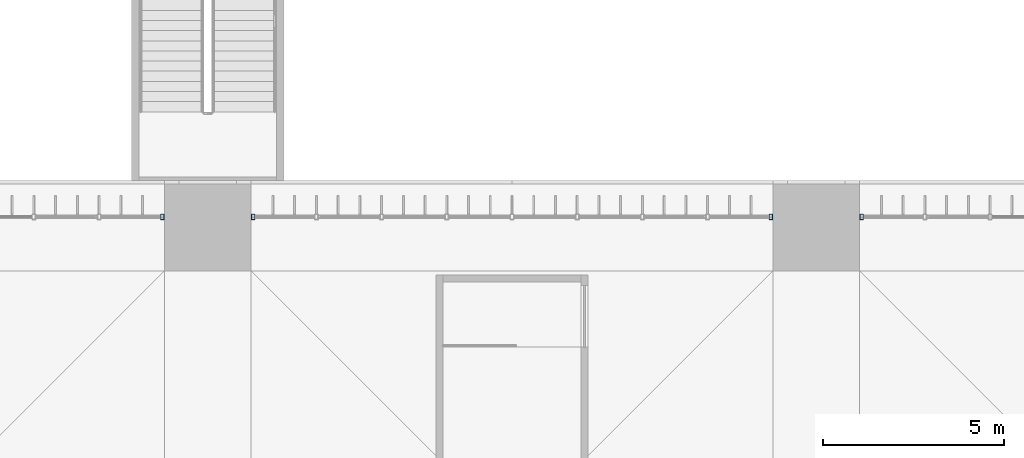
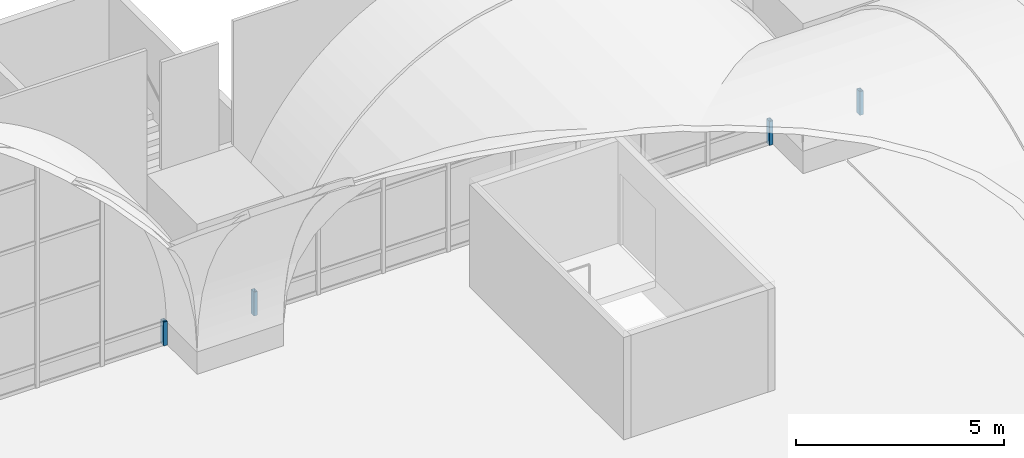
# One storey, part 70 of 169: 4 members, 3 elements without a shape of their own.
"""IFC4 building model written with IfcOpenShell, lengths in metres."""

import ifcopenshell
import ifcopenshell.guid

model = None  # the IFC model being written
_history = None  # IfcOwnerHistory: only IFC2X3 demands one
_inside = {}  # id of a spatial element -> (the spatial element, [elements in it])
_under = {}  # id of a project, library or spatial element -> (it, [spatial elements below it])
_declared = {}  # id of a project -> (the project, [libraries it declares])
_typed = {}  # id of a type object -> (the type object, [elements of that type])
_made_of = {}  # id of a material, layer set ... -> (it, [elements and type objects made of it])


def new_model(schema):
    """Start an empty IFC model of exactly this schema.

    Asked for "IFC4X3", IfcOpenShell would pick the latest addendum, in which some entities
    have other attributes; the version numbers below select the first issue.
    IFC2X3 requires an IfcOwnerHistory on every rooted entity: one is made here for all.
    """
    global model, _history
    if schema == "IFC4X3":
        model = ifcopenshell.file(schema_version=(4, 3, 0, 0))
    else:
        model = ifcopenshell.file(schema=schema)
    _inside.clear()
    _under.clear()
    _declared.clear()
    _typed.clear()
    _made_of.clear()
    _history = None
    if model.schema == "IFC2X3":
        org = make("IfcOrganization", Name="unknown")
        user = make(
            "IfcPersonAndOrganization",
            ThePerson=make("IfcPerson", FamilyName="unknown"),
            TheOrganization=org,
        )
        app = make(
            "IfcApplication",
            ApplicationDeveloper=org,
            Version="unknown",
            ApplicationFullName="unknown",
            ApplicationIdentifier="unknown",
        )
        _history = make(
            "IfcOwnerHistory",
            OwningUser=user,
            OwningApplication=app,
            ChangeAction="ADDED",
            CreationDate=0,
        )
    return model


def make(cls, **values):
    """One entity of the class cls with the attributes given. An attribute that is None is left unset."""
    return model.create_entity(
        cls, **{name: value for name, value in values.items() if value is not None}
    )


def rooted(cls, **values):
    """An entity with a GlobalId (a new one), such as an element, a storey or a relation."""
    return make(cls, GlobalId=ifcopenshell.guid.new(), OwnerHistory=_history, **values)


def si_unit(unit_type, name, prefix=None):
    """IfcSIUnit, for example si_unit("LENGTHUNIT", "METRE", prefix="MILLI")."""
    return make("IfcSIUnit", UnitType=unit_type, Prefix=prefix, Name=name)


def assignment(units):
    """IfcUnitAssignment: the units of a project."""
    return None if units is None else make("IfcUnitAssignment", Units=units)


def point(xyz):
    """IfcCartesianPoint."""
    return None if xyz is None else make("IfcCartesianPoint", Coordinates=xyz)


def direction(xyz):
    """IfcDirection."""
    return None if xyz is None else make("IfcDirection", DirectionRatios=xyz)


def frame(location, z_axis=None, x_axis=None):
    """IfcAxis2Placement3D, a coordinate frame: its origin and axes. An axis left out is left unset."""
    return make(
        "IfcAxis2Placement3D",
        Location=point(location),
        Axis=direction(z_axis),
        RefDirection=direction(x_axis),
    )


def frame_2d(location, x_axis=None):
    """IfcAxis2Placement2D, a coordinate frame in the plane: its origin and x axis."""
    return make(
        "IfcAxis2Placement2D", Location=point(location), RefDirection=direction(x_axis)
    )


def origin():
    """The frame at (0, 0, 0) with its axes left unset."""
    return frame((0.0, 0.0, 0.0))


def origin_2d():
    """The frame at (0, 0) in the plane with its x axis left unset."""
    return frame_2d((0.0, 0.0))


def place(relative_to, where):
    """IfcLocalPlacement: puts the frame where relative to a parent placement (None: the world)."""
    return make(
        "IfcLocalPlacement", PlacementRelTo=relative_to, RelativePlacement=where
    )


def context(
    kind, dimensions, precision=None, world=None, true_north=None, identifier=None
):
    """IfcGeometricRepresentationContext, for example the 3D "Model" context."""
    return make(
        "IfcGeometricRepresentationContext",
        ContextIdentifier=identifier,
        ContextType=kind,
        CoordinateSpaceDimension=dimensions,
        Precision=precision,
        WorldCoordinateSystem=world,
        TrueNorth=true_north,
    )


def subcontext(parent, identifier, kind, view, scale=None):
    """IfcGeometricRepresentationSubContext, for example "Body" below "Model"."""
    return make(
        "IfcGeometricRepresentationSubContext",
        ContextIdentifier=identifier,
        ContextType=kind,
        ParentContext=parent,
        TargetScale=scale,
        TargetView=view,
    )


def project(units=None, contexts=None):
    """IfcProject with its units and contexts."""
    return rooted(
        "IfcProject",
        Name="project",
        RepresentationContexts=contexts,
        UnitsInContext=assignment(units),
    )


def spatial(cls, under=None, at=None, **own):
    """A site, building, storey or space (cls), placed at a placement, below another one or the project."""
    s = rooted(cls, ObjectPlacement=at, **own)
    if under is not None:
        _under.setdefault(under.id(), (under, []))[1].append(s)
    return s


def profile(cls, at=None, kind="AREA", **sizes):
    """A parametric profile (cls). Its sizes go by their IFC names, for example OverallWidth=200.0."""
    return make(cls, ProfileType=kind, Position=at, **sizes)


def hollow_rectangle(**sizes):
    """IfcRectangleHollowProfileDef."""
    return profile("IfcRectangleHollowProfileDef", **sizes)


def extrude(swept, where, along, depth):
    """IfcExtrudedAreaSolid: the profile swept, set in the frame where, extruded along a direction by depth."""
    return make(
        "IfcExtrudedAreaSolid",
        SweptArea=swept,
        Position=where,
        ExtrudedDirection=direction(along),
        Depth=depth,
    )


def shape(context_of_items, identifier, shape_type, items):
    """IfcShapeRepresentation: the items that make up one representation, for example the "Body"."""
    return make(
        "IfcShapeRepresentation",
        ContextOfItems=context_of_items,
        RepresentationIdentifier=identifier,
        RepresentationType=shape_type,
        Items=items,
    )


def material(Name=None, Category=None):
    """IfcMaterial."""
    return make("IfcMaterial", Name=Name, Category=Category)


def layer(
    of_material, thickness, ventilated=None, Name=None, Category=None, Priority=None
):
    """IfcMaterialLayer: one layer of a wall or slab, of a material (None: an air gap)."""
    return make(
        "IfcMaterialLayer",
        Material=of_material,
        LayerThickness=thickness,
        IsVentilated=ventilated,
        Name=Name,
        Category=Category,
        Priority=Priority,
    )


def layer_set(layers, Name=None):
    """IfcMaterialLayerSet."""
    return make("IfcMaterialLayerSet", MaterialLayers=layers, LayerSetName=Name)


def material_profile(
    of_material, cross_section, Name=None, Category=None, Priority=None
):
    """IfcMaterialProfile: a cross section and its material."""
    return make(
        "IfcMaterialProfile",
        Name=Name,
        Material=of_material,
        Profile=cross_section,
        Priority=Priority,
        Category=Category,
    )


def profile_set(profiles, Name=None, composite=None):
    """IfcMaterialProfileSet."""
    return make(
        "IfcMaterialProfileSet",
        Name=Name,
        MaterialProfiles=profiles,
        CompositeProfile=composite,
    )


def made_of(thing, what):
    """Note that an element or type object is made of a material, layer set ...; save() writes the relation."""
    if what is not None:
        _made_of.setdefault(what.id(), (what, []))[1].append(thing)
    return thing


def type_object(cls, material=None, **own):
    """A type object (cls), such as IfcWallType, which elements share."""
    return made_of(rooted(cls, **own), material)


def element(
    cls,
    number,
    at=None,
    inside=None,
    cuts=None,
    type_object=None,
    material=None,
    context=None,
    identifier="Body",
    shape_type=None,
    held_by="IfcProductDefinitionShape",
    body=None,
    shapes=None,
    **own,
):
    """One element of the class cls, such as IfcWall. Its Tag is "e" and its number.

    at: its placement. inside: the storey or other place that contains it. cuts: it is an
    opening in that element (IfcRelVoidsElement). A single representation is given by context,
    identifier, shape_type and body (its items); several are given by shapes. held_by: the class
    of the entity that holds the representations. save() writes the other relations.
    """
    e = rooted(cls, Tag="e%d" % number, ObjectPlacement=at, **own)
    if body is not None:
        shapes = [shape(context, identifier, shape_type, body)]
    if shapes is not None:
        e.Representation = make(held_by, Representations=shapes)
    if inside is not None:
        _inside.setdefault(inside.id(), (inside, []))[1].append(e)
    if cuts is not None:
        rooted(
            "IfcRelVoidsElement", RelatingBuildingElement=cuts, RelatedOpeningElement=e
        )
    if type_object is not None:
        _typed.setdefault(type_object.id(), (type_object, []))[1].append(e)
    return made_of(e, material)


def aggregate(whole, parts):
    """IfcRelAggregates: a whole, such as a stair, and the parts it consists of."""
    return rooted("IfcRelAggregates", RelatingObject=whole, RelatedObjects=parts)


def save(model, path):
    """Write the relations noted so far, then the file.

    IfcRelAggregates (storeys below a building ...), IfcRelContainedInSpatialStructure (elements
    in a storey), IfcRelDefinesByType, IfcRelAssociatesMaterial and IfcRelDeclares: one each for
    every whole, place, type object, material and project.
    """
    for whole, parts in _under.values():
        aggregate(whole, parts)
    for where, things in _inside.values():
        rooted(
            "IfcRelContainedInSpatialStructure",
            RelatedElements=things,
            RelatingStructure=where,
        )
    for kind, things in _typed.values():
        rooted("IfcRelDefinesByType", RelatedObjects=things, RelatingType=kind)
    for what, things in _made_of.values():
        rooted("IfcRelAssociatesMaterial", RelatedObjects=things, RelatingMaterial=what)
    for by, libraries in _declared.values():
        rooted("IfcRelDeclares", RelatingContext=by, RelatedDefinitions=libraries)
    model.write(path)


model = new_model("IFC4")

# Units and contexts
model_context = context("Model", 3, precision=1e-05, world=origin(), true_north=direction((0.0, 1.0)))
body_context = subcontext(model_context, "Body", "Model", "MODEL_VIEW")
ifc_project = project(units=[si_unit("LENGTHUNIT", "METRE"), si_unit("AREAUNIT", "SQUARE_METRE"), si_unit("VOLUMEUNIT", "CUBIC_METRE"), si_unit("PLANEANGLEUNIT", "RADIAN"), si_unit("MASSUNIT", "GRAM", prefix="KILO")], contexts=[model_context])

# Site, building, storey
site_placement = place(None, origin())
site = spatial("IfcSite", under=ifc_project, at=site_placement, CompositionType="ELEMENT")
building_placement = place(site_placement, origin())
building = spatial("IfcBuilding", under=site, at=building_placement, Name="Verrick Yard Athletic Hall", CompositionType="ELEMENT")
storey_placement = place(building_placement, frame((0.0, 0.0, 4.39990234375)))
storey = spatial("IfcBuildingStorey", under=building, at=storey_placement, Name="L01", CompositionType="ELEMENT", Elevation=4.39990234375)

# Curtain wall, member
ifc_material_1 = material(Name="Aluminium and glass curtain wall", Category="aluminium")
ifc_layer = layer(ifc_material_1, 0.14990234375)
ifc_layer_set = layer_set([ifc_layer], Name="Arcade glazing arch")
curtain_wall_type = type_object("IfcCurtainWallType", Name="Arcade glazing arch", PredefinedType="NOTDEFINED", material=ifc_layer_set)
curtain_wall_1_placement = place(storey_placement, origin())
curtain_wall_1 = element("IfcCurtainWall", 1, at=curtain_wall_1_placement, inside=storey, type_object=curtain_wall_type, Name="Arcade glazing N4", PredefinedType="NOTDEFINED")
ifc_material_2 = material(Name="Structural steel HSS Class C 350W (CSA G40.20/G40.21)", Category="steel")
ifc_material_profile = material_profile(ifc_material_2, hollow_rectangle(XDim=0.1015625, YDim=0.15234375, WallThickness=0.008056640625, at=origin_2d()), Name="HSS152x102x7.9")
ifc_profile_set = profile_set([ifc_material_profile], Name="Structural steel HSS Class C 350W (CSA G40.20/G40.21)")
member_type = type_object("IfcMemberType", Name="Curtain wall mullion HSS152x102x7.9", PredefinedType="MULLION", material=ifc_profile_set)
member_1_placement = place(storey_placement, frame((105.94873046875, 53.10009765625, 0.0), z_axis=(0.0, 0.0, 1.0), x_axis=(1.0, 0.0, 0.0)))
member_1 = element("IfcMember", 2, at=member_1_placement, type_object=member_type, Name="Arcade glazing N4 mullion 9", PredefinedType="MULLION", context=body_context, shape_type="SweptSolid", body=[
    extrude(hollow_rectangle(XDim=0.1015625, YDim=0.15234375, WallThickness=0.008056640625, at=origin_2d()), origin(), (0.0, 0.0, 1.0), 0.700927734375),
])
aggregate(curtain_wall_1, [member_1])

# Curtain wall, members
curtain_wall_2_placement = place(storey_placement, origin())
curtain_wall_2 = element("IfcCurtainWall", 3, at=curtain_wall_2_placement, inside=storey, type_object=curtain_wall_type, Name="Arcade glazing N5", PredefinedType="NOTDEFINED")
member_2_placement = place(storey_placement, frame((108.451416015625, 53.10009765625, 0.0), z_axis=(0.0, 0.0, 1.0), x_axis=(1.0, 0.0, 0.0)))
member_2 = element("IfcMember", 4, at=member_2_placement, type_object=member_type, Name="Arcade glazing N5 mullion 1", PredefinedType="MULLION", context=body_context, shape_type="SweptSolid", body=[
    extrude(hollow_rectangle(XDim=0.1015625, YDim=0.15234375, WallThickness=0.008056640625, at=origin_2d()), origin(), (0.0, 0.0, 1.0), 0.700927734375),
])
member_3_placement = place(storey_placement, frame((122.748779296875, 53.10009765625, 0.0), z_axis=(0.0, 0.0, 1.0), x_axis=(1.0, 0.0, 0.0)))
member_3 = element("IfcMember", 5, at=member_3_placement, type_object=member_type, Name="Arcade glazing N5 mullion 9", PredefinedType="MULLION", context=body_context, shape_type="SweptSolid", body=[
    extrude(hollow_rectangle(XDim=0.1015625, YDim=0.15234375, WallThickness=0.008056640625, at=origin_2d()), origin(), (0.0, 0.0, 1.0), 0.700927734375),
])
aggregate(curtain_wall_2, [member_2, member_3])

# Curtain wall, member
curtain_wall_3_placement = place(storey_placement, origin())
curtain_wall_3 = element("IfcCurtainWall", 6, at=curtain_wall_3_placement, inside=storey, type_object=curtain_wall_type, Name="Arcade glazing N6", PredefinedType="NOTDEFINED")
member_4_placement = place(storey_placement, frame((125.251220703125, 53.10009765625, 0.0), z_axis=(0.0, 0.0, 1.0), x_axis=(1.0, 0.0, 0.0)))
member_4 = element("IfcMember", 7, at=member_4_placement, type_object=member_type, Name="Arcade glazing N6 mullion 1", PredefinedType="MULLION", context=body_context, shape_type="SweptSolid", body=[
    extrude(hollow_rectangle(XDim=0.1015625, YDim=0.15234375, WallThickness=0.008056640625, at=origin_2d()), origin(), (0.0, 0.0, 1.0), 0.700927734375),
])
aggregate(curtain_wall_3, [member_4])

save(model, "model.ifc")
